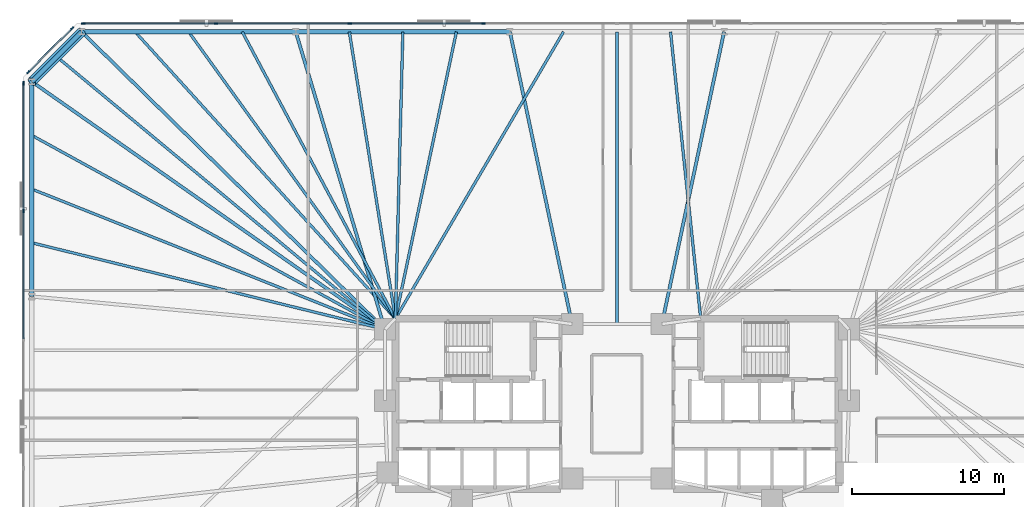
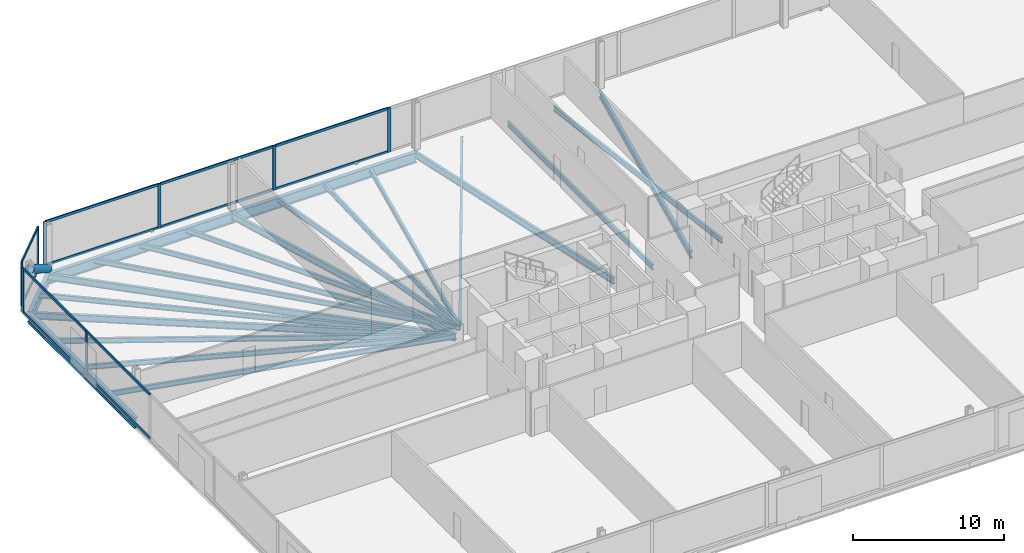
# One storey, part 8 of 17: 22 beams, 21 members, 3 elements without a shape of their own.
"""IFC4 building model written with IfcOpenShell, lengths in metres."""

from ifc_helpers import new_model, si_unit, direction, frame, origin, origin_2d, place, context, subcontext, project, spatial, rectangle, hollow_circle, i_section, extrude, material, material_profile, profile_set, type_object, element, aggregate, save


model = new_model("IFC4")

# Units and contexts
model_context = context("Model", 3, precision=1e-05, world=origin(), true_north=direction((0.0, 1.0)))
body_context = subcontext(model_context, "Body", "Model", "MODEL_VIEW")
ifc_project = project(units=[si_unit("LENGTHUNIT", "METRE"), si_unit("AREAUNIT", "SQUARE_METRE"), si_unit("VOLUMEUNIT", "CUBIC_METRE"), si_unit("PLANEANGLEUNIT", "RADIAN"), si_unit("MASSUNIT", "GRAM", prefix="KILO")], contexts=[model_context])

# Site, building, storey
site_placement = place(None, origin())
site = spatial("IfcSite", under=ifc_project, at=site_placement, CompositionType="ELEMENT")
building_placement = place(site_placement, origin())
building = spatial("IfcBuilding", under=site, at=building_placement, Name="Menara Jurai Vektor", CompositionType="ELEMENT")
storey_placement = place(building_placement, frame((0.0, 0.0, 56.0)))
storey = spatial("IfcBuildingStorey", under=building, at=storey_placement, Name="L13", CompositionType="ELEMENT", Elevation=56.0)

# Curtain wall, members
ifc_material_1 = material(Name="Anodised Pale Aluminium & Low-E Double Glazing", Category="aluminium")
curtain_wall_type = type_object("IfcCurtainWallType", Name="CW-BLK1", PredefinedType="NOTDEFINED", material=ifc_material_1)
curtain_wall_1_placement = place(storey_placement, origin())
curtain_wall_1 = element("IfcCurtainWall", 1, at=curtain_wall_1_placement, inside=storey, type_object=curtain_wall_type, Name="Unitised Curtain Wall L13 F05", PredefinedType="NOTDEFINED")
ifc_material_2 = material(Name="Anodised Pale Aluminium Mullion", Category="aluminium")
ifc_material_profile_1 = material_profile(ifc_material_2, rectangle(XDim=0.094970703125, YDim=0.239990234375, at=origin_2d()), Name="ALU MUL 95x240")
ifc_profile_set_1 = profile_set([ifc_material_profile_1], Name="Anodised Pale Aluminium Mullion")
member_type_1 = type_object("IfcMemberType", Name="CW-BLK1-MUL", PredefinedType="MULLION", material=ifc_profile_set_1)
member_1_placement = place(storey_placement, frame((-8.780029296875, 25.0, 0.0), z_axis=(0.0, 0.0, 1.0), x_axis=(0.0, -1.0, 0.0)))
member_1 = element("IfcMember", 2, at=member_1_placement, type_object=member_type_1, Name="CW-01 mullion 6", PredefinedType="MULLION", context=body_context, shape_type="SweptSolid", body=[
    extrude(rectangle(XDim=0.094970703125, YDim=0.239990234375, at=origin_2d()), origin(), (0.0, 0.0, 1.0), 3.574951171875),
])
member_2_placement = place(storey_placement, frame((-17.56005859375, 25.0, 0.0), z_axis=(0.0, 0.0, 1.0), x_axis=(0.0, -1.0, 0.0)))
member_2 = element("IfcMember", 3, at=member_2_placement, type_object=member_type_1, Name="CW-01 mullion 7", PredefinedType="MULLION", context=body_context, shape_type="SweptSolid", body=[
    extrude(rectangle(XDim=0.094970703125, YDim=0.239990234375, at=origin_2d()), origin(), (0.0, 0.0, 1.0), 3.574951171875),
])
member_3_placement = place(storey_placement, frame((-26.340087890625, 25.0, 0.0), z_axis=(0.0, 0.0, 1.0), x_axis=(0.0, -1.0, 0.0)))
member_3 = element("IfcMember", 4, at=member_3_placement, type_object=member_type_1, Name="CW-01 mullion 8", PredefinedType="MULLION", context=body_context, shape_type="SweptSolid", body=[
    extrude(rectangle(XDim=0.094970703125, YDim=0.239990234375, at=origin_2d()), origin(), (0.0, 0.0, 1.0), 3.574951171875),
])
member_4_placement = place(storey_placement, frame((-35.072509765625, 25.0, 0.0), z_axis=(0.0, 0.0, 1.0), x_axis=(0.0, -1.0, 0.0)))
member_4 = element("IfcMember", 5, at=member_4_placement, type_object=member_type_1, Name="CW-01 mullion 9", PredefinedType="MULLION", context=body_context, shape_type="SweptSolid", body=[
    extrude(rectangle(XDim=0.094970703125, YDim=0.239990234375, at=origin_2d()), origin(), (0.0, 0.0, 1.0), 3.574951171875),
])

curtain_wall_2_placement = place(storey_placement, origin())
curtain_wall_2 = element("IfcCurtainWall", 6, at=curtain_wall_2_placement, inside=storey, type_object=curtain_wall_type, Name="Unitised Curtain Wall L13 F06", PredefinedType="NOTDEFINED")
member_5_placement = place(storey_placement, frame((-35.80224609375, 24.69775390625, 0.0), z_axis=(0.0, 0.0, 1.0), x_axis=(0.707106781187, -0.707106781187, 0.0)))
member_5 = element("IfcMember", 7, at=member_5_placement, type_object=member_type_1, Name="CW-01 mullion 1", PredefinedType="MULLION", context=body_context, shape_type="SweptSolid", body=[
    extrude(rectangle(XDim=0.094970703125, YDim=0.239990234375, at=origin_2d()), origin(), (0.0, 0.0, 1.0), 3.574951171875),
])
member_6_placement = place(storey_placement, frame((-38.69775390625, 21.80224609375, 0.0), z_axis=(0.0, 0.0, 1.0), x_axis=(0.707106781187, -0.707106781187, 0.0)))
member_6 = element("IfcMember", 8, at=member_6_placement, type_object=member_type_1, Name="CW-01 mullion 2", PredefinedType="MULLION", context=body_context, shape_type="SweptSolid", body=[
    extrude(rectangle(XDim=0.094970703125, YDim=0.239990234375, at=origin_2d()), origin(), (0.0, 0.0, 1.0), 3.574951171875),
])

curtain_wall_3_placement = place(storey_placement, origin())
curtain_wall_3 = element("IfcCurtainWall", 9, at=curtain_wall_3_placement, inside=storey, type_object=curtain_wall_type, Name="Unitised Curtain Wall L13 F07", PredefinedType="NOTDEFINED")
member_7_placement = place(storey_placement, frame((-39.0, 21.072509765625, 0.0), z_axis=(0.0, 0.0, 1.0), x_axis=(1.0, 0.0, 0.0)))
member_7 = element("IfcMember", 10, at=member_7_placement, type_object=member_type_1, Name="CW-01 mullion 1", PredefinedType="MULLION", context=body_context, shape_type="SweptSolid", body=[
    extrude(rectangle(XDim=0.094970703125, YDim=0.239990234375, at=origin_2d()), origin(), (0.0, 0.0, 1.0), 3.574951171875),
])
member_8_placement = place(storey_placement, frame((-39.0, 12.672119140625, 0.0), z_axis=(0.0, 0.0, 1.0), x_axis=(1.0, 0.0, 0.0)))
member_8 = element("IfcMember", 11, at=member_8_placement, type_object=member_type_1, Name="CW-01 mullion 2", PredefinedType="MULLION", context=body_context, shape_type="SweptSolid", body=[
    extrude(rectangle(XDim=0.094970703125, YDim=0.239990234375, at=origin_2d()), origin(), (0.0, 0.0, 1.0), 3.574951171875),
])

# Member
ifc_material_3 = material(Name="Anodised Pale Aluminium Transom", Category="aluminium")
ifc_material_profile_2 = material_profile(ifc_material_3, rectangle(XDim=0.094970703125, YDim=0.199951171875, at=origin_2d()), Name="ALU TRN 95x200")
ifc_profile_set_2 = profile_set([ifc_material_profile_2], Name="Anodised Pale Aluminium Transom")
member_type_2 = type_object("IfcMemberType", Name="CW-BLK1-TRN", PredefinedType="USERDEFINED", material=ifc_profile_set_2)
member_9_placement = place(storey_placement, frame((-8.827392578125, 25.0, 0.047607421875), z_axis=(-1.0, 0.0, 0.0), x_axis=(0.0, -1.0, 0.0)))
member_9 = element("IfcMember", 12, at=member_9_placement, type_object=member_type_2, Name="CW-01 transom 6.1", ObjectType="TRANSOM", PredefinedType="USERDEFINED", context=body_context, shape_type="SweptSolid", body=[
    extrude(rectangle(XDim=0.094970703125, YDim=0.199951171875, at=origin_2d()), origin(), (0.0, 0.0, 1.0), 8.68505859375),
])

member_10_placement = place(storey_placement, frame((-8.827392578125, 25.0, 3.527587890625), z_axis=(-1.0, 0.0, 0.0), x_axis=(0.0, -1.0, 0.0)))
member_10 = element("IfcMember", 13, at=member_10_placement, type_object=member_type_2, Name="CW-01 transom 6.2", ObjectType="TRANSOM", PredefinedType="USERDEFINED", context=body_context, shape_type="SweptSolid", body=[
    extrude(rectangle(XDim=0.094970703125, YDim=0.199951171875, at=origin_2d()), origin(), (0.0, 0.0, 1.0), 8.68505859375),
])

member_11_placement = place(storey_placement, frame((-17.607421875, 25.0, 0.047607421875), z_axis=(-1.0, 0.0, 0.0), x_axis=(0.0, -1.0, 0.0)))
member_11 = element("IfcMember", 14, at=member_11_placement, type_object=member_type_2, Name="CW-01 transom 7.1", ObjectType="TRANSOM", PredefinedType="USERDEFINED", context=body_context, shape_type="SweptSolid", body=[
    extrude(rectangle(XDim=0.094970703125, YDim=0.199951171875, at=origin_2d()), origin(), (0.0, 0.0, 1.0), 8.68505859375),
])

member_12_placement = place(storey_placement, frame((-17.607421875, 25.0, 3.527587890625), z_axis=(-1.0, 0.0, 0.0), x_axis=(0.0, -1.0, 0.0)))
member_12 = element("IfcMember", 15, at=member_12_placement, type_object=member_type_2, Name="CW-01 transom 7.2", ObjectType="TRANSOM", PredefinedType="USERDEFINED", context=body_context, shape_type="SweptSolid", body=[
    extrude(rectangle(XDim=0.094970703125, YDim=0.199951171875, at=origin_2d()), origin(), (0.0, 0.0, 1.0), 8.68505859375),
])

member_13_placement = place(storey_placement, frame((-26.387451171875, 25.0, 0.047607421875), z_axis=(-1.0, 0.0, 0.0), x_axis=(0.0, -1.0, 0.0)))
member_13 = element("IfcMember", 16, at=member_13_placement, type_object=member_type_2, Name="CW-01 transom 8.1", ObjectType="TRANSOM", PredefinedType="USERDEFINED", context=body_context, shape_type="SweptSolid", body=[
    extrude(rectangle(XDim=0.094970703125, YDim=0.199951171875, at=origin_2d()), origin(), (0.0, 0.0, 1.0), 8.637451171875),
])

member_14_placement = place(storey_placement, frame((-26.387451171875, 25.0, 3.527587890625), z_axis=(-1.0, 0.0, 0.0), x_axis=(0.0, -1.0, 0.0)))
member_14 = element("IfcMember", 17, at=member_14_placement, type_object=member_type_2, Name="CW-01 transom 8.2", ObjectType="TRANSOM", PredefinedType="USERDEFINED", context=body_context, shape_type="SweptSolid", body=[
    extrude(rectangle(XDim=0.094970703125, YDim=0.199951171875, at=origin_2d()), origin(), (0.0, 0.0, 1.0), 8.637451171875),
])

aggregate(curtain_wall_1, [member_1, member_2, member_3, member_4, member_9, member_10, member_11, member_12, member_13, member_14])

member_15_placement = place(storey_placement, frame((-35.8359375, 24.6640625, 0.047607421875), z_axis=(-0.707106781187, -0.707106781187, 0.0), x_axis=(0.707106781187, -0.707106781187, 0.0)))
member_15 = element("IfcMember", 18, at=member_15_placement, type_object=member_type_2, Name="CW-01 transom 1.1", ObjectType="TRANSOM", PredefinedType="USERDEFINED", context=body_context, shape_type="SweptSolid", body=[
    extrude(rectangle(XDim=0.094970703125, YDim=0.199951171875, at=origin_2d()), origin(), (0.0, 0.0, 1.0), 3.99951171875),
])

member_16_placement = place(storey_placement, frame((-35.8359375, 24.6640625, 3.527587890625), z_axis=(-0.707106781187, -0.707106781187, 0.0), x_axis=(0.707106781187, -0.707106781187, 0.0)))
member_16 = element("IfcMember", 19, at=member_16_placement, type_object=member_type_2, Name="CW-01 transom 1.2", ObjectType="TRANSOM", PredefinedType="USERDEFINED", context=body_context, shape_type="SweptSolid", body=[
    extrude(rectangle(XDim=0.094970703125, YDim=0.199951171875, at=origin_2d()), origin(), (0.0, 0.0, 1.0), 3.99951171875),
])

aggregate(curtain_wall_2, [member_5, member_6, member_15, member_16])

member_17_placement = place(storey_placement, frame((-39.0, 21.02490234375, 0.047607421875), z_axis=(0.0, -1.0, 0.0), x_axis=(1.0, 0.0, 0.0)))
member_17 = element("IfcMember", 20, at=member_17_placement, type_object=member_type_2, Name="CW-01 transom 1.1", ObjectType="TRANSOM", PredefinedType="USERDEFINED", context=body_context, shape_type="SweptSolid", body=[
    extrude(rectangle(XDim=0.094970703125, YDim=0.199951171875, at=origin_2d()), origin(), (0.0, 0.0, 1.0), 8.305419921875),
])

member_18_placement = place(storey_placement, frame((-39.0, 21.02490234375, 3.527587890625), z_axis=(0.0, -1.0, 0.0), x_axis=(1.0, 0.0, 0.0)))
member_18 = element("IfcMember", 21, at=member_18_placement, type_object=member_type_2, Name="CW-01 transom 1.2", ObjectType="TRANSOM", PredefinedType="USERDEFINED", context=body_context, shape_type="SweptSolid", body=[
    extrude(rectangle(XDim=0.094970703125, YDim=0.199951171875, at=origin_2d()), origin(), (0.0, 0.0, 1.0), 8.305419921875),
])

member_19_placement = place(storey_placement, frame((-39.0, 12.62451171875, 0.047607421875), z_axis=(0.0, -1.0, 0.0), x_axis=(1.0, 0.0, 0.0)))
member_19 = element("IfcMember", 22, at=member_19_placement, type_object=member_type_2, Name="CW-01 transom 2.1", ObjectType="TRANSOM", PredefinedType="USERDEFINED", context=body_context, shape_type="SweptSolid", body=[
    extrude(rectangle(XDim=0.094970703125, YDim=0.199951171875, at=origin_2d()), origin(), (0.0, 0.0, 1.0), 8.35302734375),
])

member_20_placement = place(storey_placement, frame((-39.0, 12.62451171875, 3.527587890625), z_axis=(0.0, -1.0, 0.0), x_axis=(1.0, 0.0, 0.0)))
member_20 = element("IfcMember", 23, at=member_20_placement, type_object=member_type_2, Name="CW-01 transom 2.2", ObjectType="TRANSOM", PredefinedType="USERDEFINED", context=body_context, shape_type="SweptSolid", body=[
    extrude(rectangle(XDim=0.094970703125, YDim=0.199951171875, at=origin_2d()), origin(), (0.0, 0.0, 1.0), 8.35302734375),
])

aggregate(curtain_wall_3, [member_7, member_8, member_17, member_18, member_19, member_20])

# Beams
ifc_material_4 = material(Name="Steel S355", Category="steel")
ifc_material_profile_3 = material_profile(ifc_material_4, i_section(OverallWidth=0.2109375, OverallDepth=0.5390625, WebThickness=0.011962890625, FlangeThickness=0.01904296875, FilletRadius=0.012939453125, at=origin_2d()), Name="UKB 533x210x109")
ifc_profile_set_3 = profile_set([ifc_material_profile_3], Name="Steel S355")
beam_type_1 = type_object("IfcBeamType", Name="STR-BM-533", PredefinedType="BEAM", material=ifc_profile_set_3)
for number, where, z_axis, x_axis, name in (
    (24, (7.03564453125, 24.449951171875, -0.494384765625), (-0.2081367579, -0.978099734184, 0.0), (0.978099734184, -0.2081367579, 0.0), "Radial Floor Girder L13-N3"),
    (25, (-7.03564453125, 24.449951171875, -0.494384765625), (0.2081367579, -0.978099734184, 0.0), (0.978099734184, 0.2081367579, 0.0), "Radial Floor Girder L13-N4"),
):
    element("IfcBeam", number, at=place(storey_placement, frame(where, z_axis=z_axis, x_axis=x_axis)), inside=storey, type_object=beam_type_1, Name=name, PredefinedType="BEAM", context=body_context, shape_type="SweptSolid", body=[
        extrude(i_section(OverallWidth=0.2109375, OverallDepth=0.5390625, WebThickness=0.011962890625, FlangeThickness=0.01904296875, FilletRadius=0.012939453125, at=origin_2d()), origin(), (0.0, 0.0, 1.0), 19.6298828125),
    ])
beam_1_placement = place(storey_placement, frame((-21.106689453125, 24.449951171875, -0.494384765625), z_axis=(0.286973617166, -0.957938486047, 0.0), x_axis=(0.957938486047, 0.286973617166, 0.0)))
element("IfcBeam", 26, at=beam_1_placement, inside=storey, type_object=beam_type_1, Name="Radial Floor Girder L13-N5", PredefinedType="BEAM", context=body_context, shape_type="SweptSolid", body=[
    extrude(i_section(OverallWidth=0.2109375, OverallDepth=0.5390625, WebThickness=0.011962890625, FlangeThickness=0.01904296875, FilletRadius=0.012939453125, at=origin_2d()), origin(), (0.0, 0.0, 1.0), 20.408447265625),
])
beam_2_placement = place(storey_placement, frame((-35.177734375, 24.449951171875, -0.494384765625), z_axis=(0.713839032855, -0.700309813706, 0.0), x_axis=(0.700309813706, 0.713839032855, 0.0)))
element("IfcBeam", 27, at=beam_2_placement, inside=storey, type_object=beam_type_1, Name="Radial Floor Girder L13-N6", PredefinedType="BEAM", context=body_context, shape_type="SweptSolid", body=[
    extrude(i_section(OverallWidth=0.2109375, OverallDepth=0.5390625, WebThickness=0.011962890625, FlangeThickness=0.01904296875, FilletRadius=0.012939453125, at=origin_2d()), origin(), (0.0, 0.0, 1.0), 27.916259765625),
])
beam_3_placement = place(storey_placement, frame((-38.449951171875, 21.177734375, -0.494384765625), z_axis=(0.818603732445, -0.574358711283, 0.0), x_axis=(0.574358711283, 0.818603732445, 0.0)))
element("IfcBeam", 28, at=beam_3_placement, inside=storey, type_object=beam_type_1, Name="Radial Floor Girder L13-W1", PredefinedType="BEAM", context=body_context, shape_type="SweptSolid", body=[
    extrude(i_section(OverallWidth=0.2109375, OverallDepth=0.5390625, WebThickness=0.011962890625, FlangeThickness=0.01904296875, FilletRadius=0.012939453125, at=origin_2d()), origin(), (0.0, 0.0, 1.0), 28.3408203125),
])

# Member
ifc_material_5 = material(Name="Steel S460", Category="steel")
ifc_material_profile_4 = material_profile(ifc_material_5, hollow_circle(Radius=0.304931640625, WallThickness=0.02490234375, at=origin_2d()), Name="CHS 610x25")
ifc_profile_set_4 = profile_set([ifc_material_profile_4], Name="Steel S460")
member_type_3 = type_object("IfcMemberType", Name="STR-BR-610", PredefinedType="BRACE", material=ifc_profile_set_4)
member_21_placement = place(storey_placement, frame((-35.177734375, 24.449951171875, 0.14990234375), z_axis=(-0.588928100616, -0.588928100616, 0.55346850372), x_axis=(0.707106781187, -0.707106781187, 0.0)))
element("IfcMember", 29, at=member_21_placement, inside=storey, type_object=member_type_3, Name="Exoskeleton Corner Brace L13-3", PredefinedType="BRACE", context=body_context, shape_type="SweptSolid", body=[
    extrude(hollow_circle(Radius=0.304931640625, WallThickness=0.02490234375, at=origin_2d()), origin(), (0.0, 0.0, 1.0), 5.55615234375),
])

# Beams
ifc_material_profile_5 = material_profile(ifc_material_4, i_section(OverallWidth=0.178955078125, OverallDepth=0.408935546875, WebThickness=0.009033203125, FlangeThickness=0.013916015625, FilletRadius=0.010009765625, at=origin_2d()), Name="UKB 406x178x67")
ifc_profile_set_5 = profile_set([ifc_material_profile_5], Name="Steel S355")
beam_type_2 = type_object("IfcBeamType", Name="STR-JS-406", PredefinedType="JOIST", material=ifc_profile_set_5)
beam_4_placement = place(storey_placement, frame((3.517822265625, 24.449951171875, -0.429443359375), z_axis=(0.104579513969, -0.994516528399, 0.0), x_axis=(0.994516528399, 0.104579513969, 0.0)))
element("IfcBeam", 30, at=beam_4_placement, inside=storey, type_object=beam_type_2, Name="Radial Secondary Floor Joist L13-JS22", PredefinedType="JOIST", context=body_context, shape_type="SweptSolid", body=[
    extrude(i_section(OverallWidth=0.178955078125, OverallDepth=0.408935546875, WebThickness=0.009033203125, FlangeThickness=0.013916015625, FilletRadius=0.010009765625, at=origin_2d()), origin(), (0.0, 0.0, 1.0), 18.953857421875),
])
beam_5_placement = place(storey_placement, frame((0.0, 24.449951171875, -0.429443359375), z_axis=(0.0, -1.0, 0.0), x_axis=(1.0, 0.0, 0.0)))
element("IfcBeam", 31, at=beam_5_placement, inside=storey, type_object=beam_type_2, Name="Radial Secondary Floor Joist L13-JS23", PredefinedType="JOIST", context=body_context, shape_type="SweptSolid", body=[
    extrude(i_section(OverallWidth=0.178955078125, OverallDepth=0.408935546875, WebThickness=0.009033203125, FlangeThickness=0.013916015625, FilletRadius=0.010009765625, at=origin_2d()), origin(), (0.0, 0.0, 1.0), 19.199951171875),
])
beam_6_placement = place(storey_placement, frame((-3.517822265625, 24.449951171875, -0.429443359375), z_axis=(-0.505457909797, -0.862851262631, 0.0), x_axis=(0.862851262631, -0.505457909797, 0.0)))
element("IfcBeam", 32, at=beam_6_placement, inside=storey, type_object=beam_type_2, Name="Radial Secondary Floor Joist L13-JS24", PredefinedType="JOIST", context=body_context, shape_type="SweptSolid", body=[
    extrude(i_section(OverallWidth=0.178955078125, OverallDepth=0.408935546875, WebThickness=0.009033203125, FlangeThickness=0.013916015625, FilletRadius=0.010009765625, at=origin_2d()), origin(), (0.0, 0.0, 1.0), 21.845947265625),
])
beam_7_placement = place(storey_placement, frame((-10.55322265625, 24.449951171875, -0.429443359375), z_axis=(-0.207920423262, -0.978145744555, 0.0), x_axis=(0.978145744555, -0.207920423262, 0.0)))
element("IfcBeam", 33, at=beam_7_placement, inside=storey, type_object=beam_type_2, Name="Radial Secondary Floor Joist L13-JS25", PredefinedType="JOIST", context=body_context, shape_type="SweptSolid", body=[
    extrude(i_section(OverallWidth=0.178955078125, OverallDepth=0.408935546875, WebThickness=0.009033203125, FlangeThickness=0.013916015625, FilletRadius=0.010009765625, at=origin_2d()), origin(), (0.0, 0.0, 1.0), 19.27099609375),
])
beam_8_placement = place(storey_placement, frame((-14.071044921875, 24.449951171875, -0.429443359375), z_axis=(-0.02593384597, -0.999663661255, 0.0), x_axis=(0.999663661255, -0.02593384597, 0.0)))
element("IfcBeam", 34, at=beam_8_placement, inside=storey, type_object=beam_type_2, Name="Radial Secondary Floor Joist L13-JS26", PredefinedType="JOIST", context=body_context, shape_type="SweptSolid", body=[
    extrude(i_section(OverallWidth=0.178955078125, OverallDepth=0.408935546875, WebThickness=0.009033203125, FlangeThickness=0.013916015625, FilletRadius=0.010009765625, at=origin_2d()), origin(), (0.0, 0.0, 1.0), 18.856201171875),
])
beam_9_placement = place(storey_placement, frame((-17.5888671875, 24.449951171875, -0.429443359375), z_axis=(0.158645817656, -0.987335558227, 0.0), x_axis=(0.987335558227, 0.158645817656, 0.0)))
element("IfcBeam", 35, at=beam_9_placement, inside=storey, type_object=beam_type_2, Name="Radial Secondary Floor Joist L13-JS27", PredefinedType="JOIST", context=body_context, shape_type="SweptSolid", body=[
    extrude(i_section(OverallWidth=0.178955078125, OverallDepth=0.408935546875, WebThickness=0.009033203125, FlangeThickness=0.013916015625, FilletRadius=0.010009765625, at=origin_2d()), origin(), (0.0, 0.0, 1.0), 19.091552734375),
])
beam_10_placement = place(storey_placement, frame((-24.62451171875, 24.449951171875, -0.429443359375), z_axis=(0.470996174599, -0.882135252392, 0.0), x_axis=(0.882135252392, 0.470996174599, 0.0)))
element("IfcBeam", 36, at=beam_10_placement, inside=storey, type_object=beam_type_2, Name="Radial Secondary Floor Joist L13-JS28", PredefinedType="JOIST", context=body_context, shape_type="SweptSolid", body=[
    extrude(i_section(OverallWidth=0.178955078125, OverallDepth=0.408935546875, WebThickness=0.009033203125, FlangeThickness=0.013916015625, FilletRadius=0.010009765625, at=origin_2d()), origin(), (0.0, 0.0, 1.0), 21.368408203125),
])
beam_11_placement = place(storey_placement, frame((-28.142333984375, 24.449951171875, -0.429443359375), z_axis=(0.584598948369, -0.811322420229, 0.0), x_axis=(0.811322420229, 0.584598948369, 0.0)))
element("IfcBeam", 37, at=beam_11_placement, inside=storey, type_object=beam_type_2, Name="Radial Secondary Floor Joist L13-JS29", PredefinedType="JOIST", context=body_context, shape_type="SweptSolid", body=[
    extrude(i_section(OverallWidth=0.178955078125, OverallDepth=0.408935546875, WebThickness=0.009033203125, FlangeThickness=0.013916015625, FilletRadius=0.010009765625, at=origin_2d()), origin(), (0.0, 0.0, 1.0), 23.2333984375),
])
beam_12_placement = place(storey_placement, frame((-31.659912109375, 24.449951171875, -0.429443359375), z_axis=(0.671889844346, -0.740651089964, 0.0), x_axis=(0.740651089964, 0.671889844346, 0.0)))
element("IfcBeam", 38, at=beam_12_placement, inside=storey, type_object=beam_type_2, Name="Radial Secondary Floor Joist L13-JS30", PredefinedType="JOIST", context=body_context, shape_type="SweptSolid", body=[
    extrude(i_section(OverallWidth=0.178955078125, OverallDepth=0.408935546875, WebThickness=0.009033203125, FlangeThickness=0.013916015625, FilletRadius=0.010009765625, at=origin_2d()), origin(), (0.0, 0.0, 1.0), 25.450439453125),
])
beam_13_placement = place(storey_placement, frame((-36.81396484375, 22.81396484375, -0.429443359375), z_axis=(0.769201173096, -0.639006694259, 0.0), x_axis=(0.639006694259, 0.769201173096, 0.0)))
element("IfcBeam", 39, at=beam_13_placement, inside=storey, type_object=beam_type_2, Name="Radial Secondary Floor Joist L13-JS31", PredefinedType="JOIST", context=body_context, shape_type="SweptSolid", body=[
    extrude(i_section(OverallWidth=0.178955078125, OverallDepth=0.408935546875, WebThickness=0.009033203125, FlangeThickness=0.013916015625, FilletRadius=0.010009765625, at=origin_2d()), origin(), (0.0, 0.0, 1.0), 28.0341796875),
])
beam_14_placement = place(storey_placement, frame((-38.449951171875, 17.648193359375, -0.429443359375), z_axis=(0.87640219057, -0.481579900291, 0.0), x_axis=(0.481579900291, 0.87640219057, 0.0)))
element("IfcBeam", 40, at=beam_14_placement, inside=storey, type_object=beam_type_2, Name="Radial Secondary Floor Joist L13-JS32", PredefinedType="JOIST", context=body_context, shape_type="SweptSolid", body=[
    extrude(i_section(OverallWidth=0.178955078125, OverallDepth=0.408935546875, WebThickness=0.009033203125, FlangeThickness=0.013916015625, FilletRadius=0.010009765625, at=origin_2d()), origin(), (0.0, 0.0, 1.0), 26.471923828125),
])
beam_15_placement = place(storey_placement, frame((-38.449951171875, 14.118408203125, -0.429443359375), z_axis=(0.929323400723, -0.369266864027, 0.0), x_axis=(0.369266864027, 0.929323400723, 0.0)))
element("IfcBeam", 41, at=beam_15_placement, inside=storey, type_object=beam_type_2, Name="Radial Secondary Floor Joist L13-JS33", PredefinedType="JOIST", context=body_context, shape_type="SweptSolid", body=[
    extrude(i_section(OverallWidth=0.178955078125, OverallDepth=0.408935546875, WebThickness=0.009033203125, FlangeThickness=0.013916015625, FilletRadius=0.010009765625, at=origin_2d()), origin(), (0.0, 0.0, 1.0), 24.96435546875),
])
beam_16_placement = place(storey_placement, frame((-38.449951171875, 10.5888671875, -0.429443359375), z_axis=(0.971226234641, -0.238158772976, 0.0), x_axis=(0.238158772976, 0.971226234641, 0.0)))
element("IfcBeam", 42, at=beam_16_placement, inside=storey, type_object=beam_type_2, Name="Radial Secondary Floor Joist L13-JS34", PredefinedType="JOIST", context=body_context, shape_type="SweptSolid", body=[
    extrude(i_section(OverallWidth=0.178955078125, OverallDepth=0.408935546875, WebThickness=0.009033203125, FlangeThickness=0.013916015625, FilletRadius=0.010009765625, at=origin_2d()), origin(), (0.0, 0.0, 1.0), 23.88720703125),
])
ifc_material_profile_6 = material_profile(ifc_material_5, i_section(OverallWidth=0.2939453125, OverallDepth=0.85107421875, WebThickness=0.01611328125, FlangeThickness=0.027099609375, FilletRadius=0.01806640625, at=origin_2d()), Name="UKB 838x292x226")
ifc_profile_set_6 = profile_set([ifc_material_profile_6], Name="Steel S460")
beam_type_3 = type_object("IfcBeamType", Name="STR-SP-838", PredefinedType="SPANDREL", material=ifc_profile_set_6)
for number, where, z_axis, x_axis, name in (
    (43, (-7.03564453125, 24.449951171875, -0.650390625), (-1.0, 0.0, 0.0), (0.0, -1.0, 0.0), "Exoskeleton Spandrel Beam L13-14"),
    (44, (-21.106689453125, 24.449951171875, -0.650390625), (-1.0, 0.0, 0.0), (0.0, -1.0, 0.0), "Exoskeleton Spandrel Beam L13-15"),
):
    element("IfcBeam", number, at=place(storey_placement, frame(where, z_axis=z_axis, x_axis=x_axis)), inside=storey, type_object=beam_type_3, Name=name, PredefinedType="SPANDREL", context=body_context, shape_type="SweptSolid", body=[
        extrude(i_section(OverallWidth=0.2939453125, OverallDepth=0.85107421875, WebThickness=0.01611328125, FlangeThickness=0.027099609375, FilletRadius=0.01806640625, at=origin_2d()), origin(), (0.0, 0.0, 1.0), 14.071044921875),
    ])
beam_17_placement = place(storey_placement, frame((-35.177734375, 24.449951171875, -0.650390625), z_axis=(-0.707106781187, -0.707106781187, 0.0), x_axis=(0.707106781187, -0.707106781187, 0.0)))
element("IfcBeam", 45, at=beam_17_placement, inside=storey, type_object=beam_type_3, Name="Exoskeleton Spandrel Beam L13-16", PredefinedType="SPANDREL", context=body_context, shape_type="SweptSolid", body=[
    extrude(i_section(OverallWidth=0.2939453125, OverallDepth=0.85107421875, WebThickness=0.01611328125, FlangeThickness=0.027099609375, FilletRadius=0.01806640625, at=origin_2d()), origin(), (0.0, 0.0, 1.0), 4.627685546875),
])
beam_18_placement = place(storey_placement, frame((-38.449951171875, 21.177734375, -0.650390625), z_axis=(0.0, -1.0, 0.0), x_axis=(1.0, 0.0, 0.0)))
element("IfcBeam", 46, at=beam_18_placement, inside=storey, type_object=beam_type_3, Name="Exoskeleton Spandrel Beam L13-17", PredefinedType="SPANDREL", context=body_context, shape_type="SweptSolid", body=[
    extrude(i_section(OverallWidth=0.2939453125, OverallDepth=0.85107421875, WebThickness=0.01611328125, FlangeThickness=0.027099609375, FilletRadius=0.01806640625, at=origin_2d()), origin(), (0.0, 0.0, 1.0), 14.118408203125),
])

save(model, "model.ifc")
